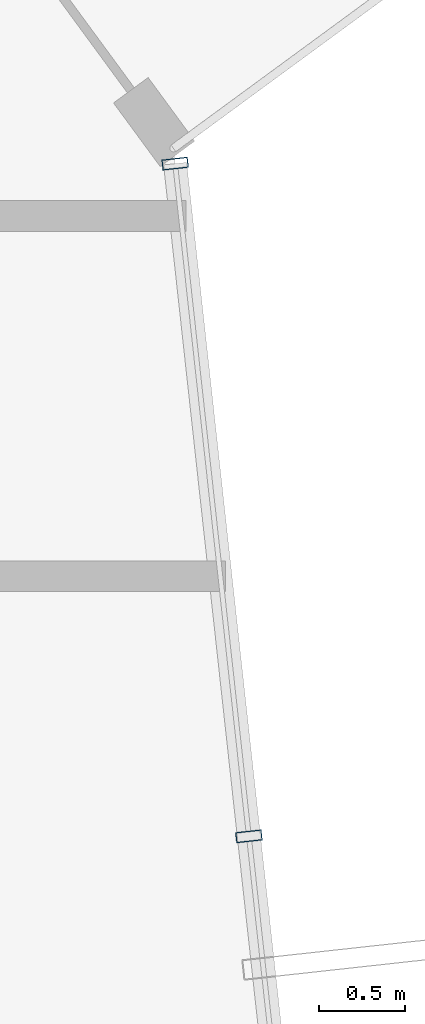
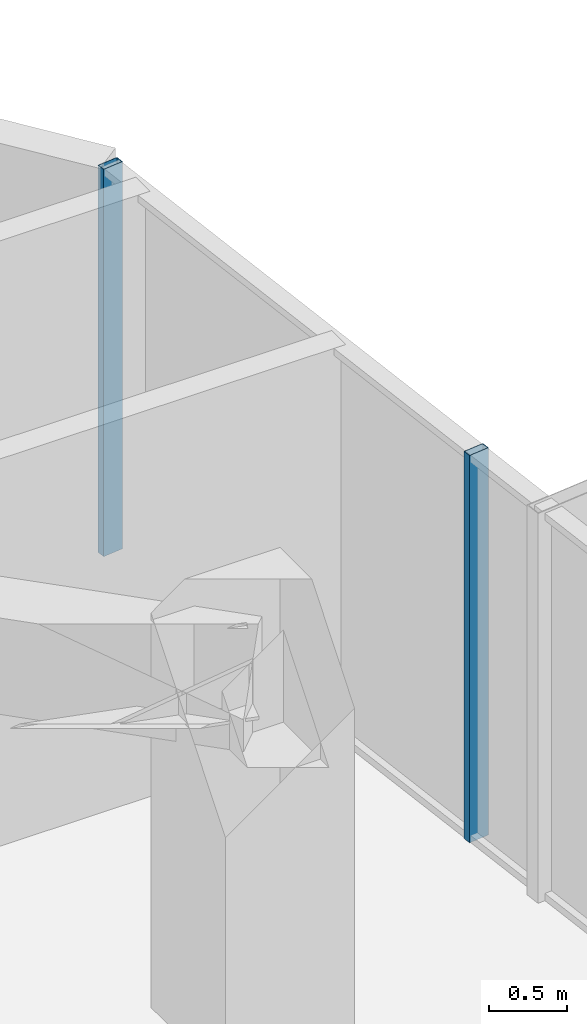
# One storey, part 20 of 32: 2 members, 1 element without a shape of its own.
"""IFC4 building model written with IfcOpenShell, lengths in metres."""

from ifc_helpers import new_model, si_unit, direction, frame, origin, origin_2d, place, context, subcontext, project, spatial, hollow_rectangle, extrude, source, transform, mapped, material, layer, layer_set, material_profile, profile_set, type_object, element, aggregate, save


model = new_model("IFC4")

# Units and contexts
model_context = context("Model", 3, precision=1e-05, world=origin(), true_north=direction((0.0, 1.0)))
body_context = subcontext(model_context, "Body", "Model", "MODEL_VIEW")
ifc_project = project(units=[si_unit("LENGTHUNIT", "METRE"), si_unit("AREAUNIT", "SQUARE_METRE"), si_unit("VOLUMEUNIT", "CUBIC_METRE"), si_unit("PLANEANGLEUNIT", "RADIAN"), si_unit("MASSUNIT", "GRAM", prefix="KILO")], contexts=[model_context])

# Site, building, storey
site_placement = place(None, origin())
site = spatial("IfcSite", under=ifc_project, at=site_placement, CompositionType="ELEMENT")
building_placement = place(site_placement, origin())
building = spatial("IfcBuilding", under=site, at=building_placement, Name="Veraguas Prism Commons", CompositionType="ELEMENT")
storey_placement = place(building_placement, frame((0.0, 0.0, 185.35009765625)))
storey = spatial("IfcBuildingStorey", under=building, at=storey_placement, Name="L52", CompositionType="ELEMENT", Elevation=185.35009765625)

# Curtain wall, members
ifc_material = material(Name="Anodised aluminium EN AW-6063 T6", Category="aluminium")
ifc_layer = layer(ifc_material, 0.14990234375, Name="Unitised Flush Curtain Wall Zone 3", Category="aluminium")
ifc_layer_set = layer_set([ifc_layer], Name="Anodised aluminium EN AW-6063 T6")
curtain_wall_type = type_object("IfcCurtainWallType", Name="Unitised Flush Curtain Wall Zone 3", PredefinedType="NOTDEFINED", material=ifc_layer_set)
curtain_wall_placement = place(storey_placement, origin())
curtain_wall = element("IfcCurtainWall", 1, at=curtain_wall_placement, inside=storey, type_object=curtain_wall_type, Name="Tower Facade Curtain Wall L52-F6", PredefinedType="NOTDEFINED")
ifc_material_profile = material_profile(ifc_material, hollow_rectangle(XDim=0.06005859375, YDim=0.14990234375, WallThickness=0.0029296875, at=origin_2d()), Name="AL60X150X3")
ifc_profile_set = profile_set([ifc_material_profile], Name="Anodised aluminium EN AW-6063 T6")
member_type = type_object("IfcMemberType", Name="Curtain Wall Mullion Upper AL 60x150x3", PredefinedType="MULLION", material=ifc_profile_set)
shared_shape = source(origin(), body_context, "Body", "SweptSolid", [
    extrude(hollow_rectangle(XDim=0.06005859375, YDim=0.14990234375, WallThickness=0.0029296875, at=origin_2d()), origin(), (0.0, 0.0, 1.0), 3.014892578125),
])
member_1_placement = place(storey_placement, frame((41.171142578125, 29.883056640625, 0.0), z_axis=(0.0, 0.0, 1.0), x_axis=(-0.109045573519, 0.99403675128, 0.0)))
member_1 = element("IfcMember", 2, at=member_1_placement, type_object=member_type, Name="CW-Z3 Mullion 4", PredefinedType="MULLION", context=body_context, shape_type="MappedRepresentation", body=[
    mapped(shared_shape, transform((0.0, 0.0, 0.0), scale=1.0)),
])
member_2_placement = place(storey_placement, frame((40.740966796875, 33.80517578125, 0.0), z_axis=(0.0, 0.0, 1.0), x_axis=(-0.109045573519, 0.99403675128, 0.0)))
member_2 = element("IfcMember", 3, at=member_2_placement, type_object=member_type, Name="CW-Z3 Mullion 5", PredefinedType="MULLION", context=body_context, shape_type="MappedRepresentation", body=[
    mapped(shared_shape, transform((0.0, 0.0, 0.0), scale=1.0)),
])
aggregate(curtain_wall, [member_1, member_2])

save(model, "model.ifc")
